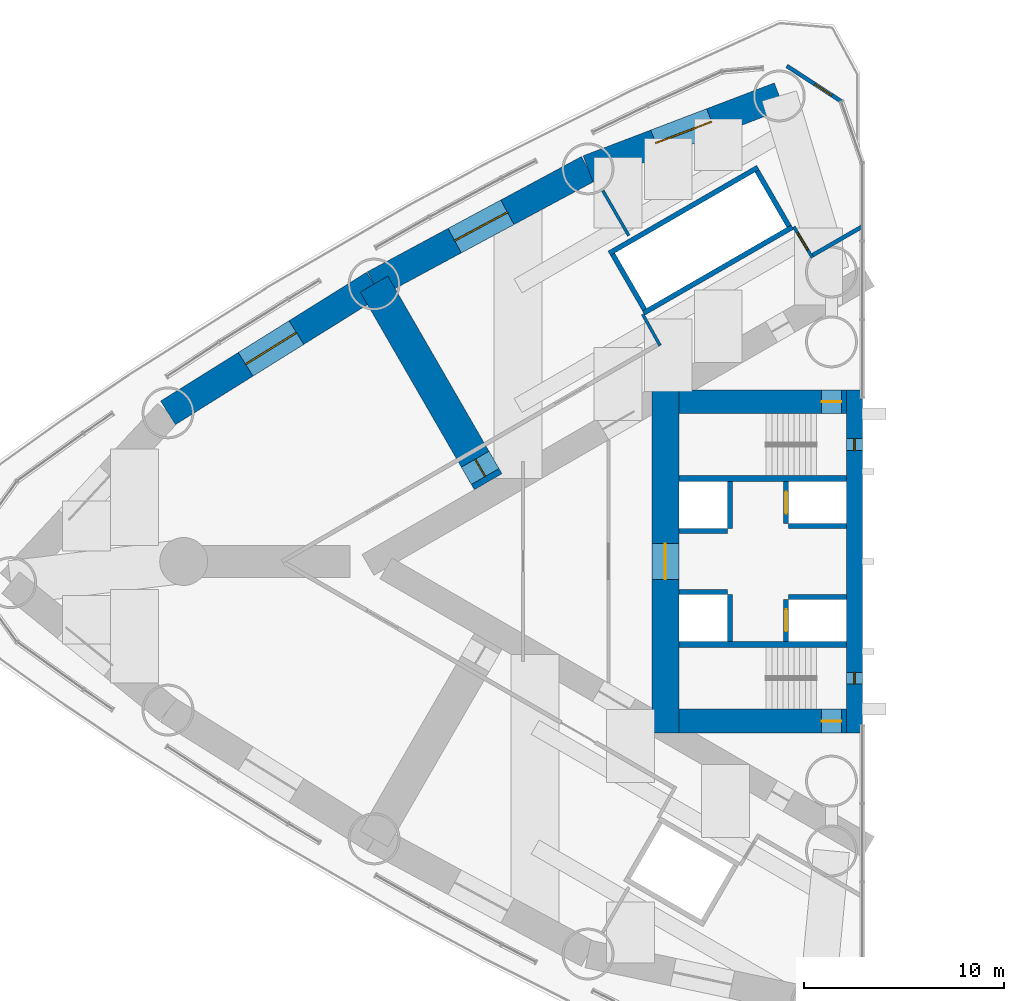
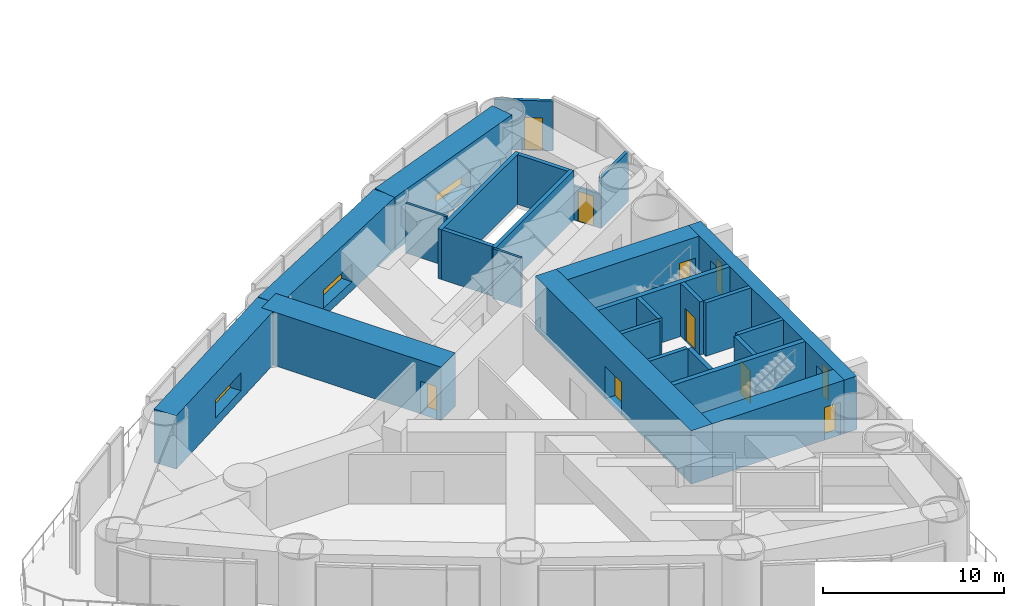
# One storey, part 14 of 19: 27 walls, 8 doors, 5 windows, 13 openings.
"""IFC4 building model written with IfcOpenShell, lengths in metres."""

from ifc_helpers import new_model, si_unit, direction, frame, frame_2d, origin, place, context, subcontext, project, spatial, rectangle, extrude, material, layer, layer_set, type_object, element, fill, save


model = new_model("IFC4")

# Units and contexts
model_context = context("Model", 3, precision=1e-05, world=origin(), true_north=direction((0.0, 1.0)))
body_context = subcontext(model_context, "Body", "Model", "MODEL_VIEW")
ifc_project = project(units=[si_unit("LENGTHUNIT", "METRE"), si_unit("AREAUNIT", "SQUARE_METRE"), si_unit("VOLUMEUNIT", "CUBIC_METRE"), si_unit("PLANEANGLEUNIT", "RADIAN"), si_unit("MASSUNIT", "GRAM", prefix="KILO")], contexts=[model_context])

# Site, building, storey
site_placement = place(None, origin())
site = spatial("IfcSite", under=ifc_project, at=site_placement, CompositionType="ELEMENT")
building_placement = place(site_placement, origin())
building = spatial("IfcBuilding", under=site, at=building_placement, Name="Lancet Gate Hotel", CompositionType="ELEMENT")
storey_placement = place(building_placement, frame((0.0, 0.0, 87.0)))
storey = spatial("IfcBuildingStorey", under=building, at=storey_placement, Name="L22", CompositionType="ELEMENT", Elevation=87.0)

# Wall, opening, window
ifc_material_1 = material(Name="Concrete C80/95", Category="concrete")
ifc_layer_1 = layer(ifc_material_1, 1.39990234375)
ifc_layer_set_1 = layer_set([ifc_layer_1], Name="Belt wall 1400")
wall_type_1 = type_object("IfcWallType", Name="Belt wall 1400", PredefinedType="SHEAR", material=ifc_layer_set_1)
wall_1_placement = place(storey_placement, frame((-31.66455078125, 23.318359375, 0.0), z_axis=(0.0, 0.0, 1.0), x_axis=(-0.934392266213, -0.356245832033, 0.0)))
wall_1 = element("IfcWall", 1, at=wall_1_placement, inside=storey, type_object=wall_type_1, Name="T1 belt wall CS-OS1 L22", PredefinedType="SHEAR", context=body_context, shape_type="SweptSolid", body=[
    extrude(rectangle(XDim=10.2529296875, YDim=1.39990234375, at=frame_2d((5.12646484375, 0.0))), origin(), (0.0, 0.0, 1.0), 3.60009765625),
])
opening_1_placement = place(wall_1_placement, frame((3.62646484375, 0.0, 0.60009765625)))
opening_1 = element("IfcOpeningElement", 2, at=opening_1_placement, cuts=wall_1, Name="Opening LV1", PredefinedType="OPENING", context=body_context, shape_type="SweptSolid", body=[
    extrude(rectangle(XDim=3.0, YDim=1.199951171875, at=frame_2d((1.5, 0.60009765625))), frame((0.0, 0.7099609375, 0.0), z_axis=(0.0, -1.0, 0.0), x_axis=(1.0, 0.0, 0.0)), (0.0, 0.0, 1.0), 1.419921875),
])
ifc_material_2 = material(Name="Aluminium weather louvre", Category="aluminium")
window_type_1 = type_object("IfcWindowType", Name="Refuge louvre 3000x1200", PartitioningType="SINGLE_PANEL", PredefinedType="WINDOW", material=ifc_material_2)
window_1_placement = place(opening_1_placement, origin())
window_1 = element("IfcWindow", 3, at=window_1_placement, inside=storey, type_object=window_type_1, Name="T1 belt louvre CS-OS1 L22", OverallHeight=1.199951171875, OverallWidth=3.0, PartitioningType="SINGLE_PANEL", PredefinedType="WINDOW", context=body_context, shape_type="SweptSolid", body=[
    extrude(rectangle(XDim=3.0, YDim=1.199951171875, at=frame_2d((1.5, 0.60009765625))), frame((0.0, 0.030029296875, 0.0), z_axis=(0.0, -1.0, 0.0), x_axis=(1.0, 0.0, 0.0)), (0.0, 0.0, 1.0), 0.06005859375),
])
fill(opening_1, window_1)

wall_2_placement = place(storey_placement, frame((-41.244873046875, 19.665771484375, 0.0), z_axis=(0.0, 0.0, 1.0), x_axis=(-0.880492350889, -0.474060354835, 0.0)))
wall_2 = element("IfcWall", 4, at=wall_2_placement, inside=storey, type_object=wall_type_1, Name="T1 belt wall OS1-OS2 L22", PredefinedType="SHEAR", context=body_context, shape_type="SweptSolid", body=[
    extrude(rectangle(XDim=12.173095703125, YDim=1.39990234375, at=frame_2d((6.08642578125, 0.0))), origin(), (0.0, 0.0, 1.0), 3.60009765625),
])
opening_2_placement = place(wall_2_placement, frame((4.58642578125, 0.0, 0.60009765625)))
opening_2 = element("IfcOpeningElement", 5, at=opening_2_placement, cuts=wall_2, Name="Opening LV1", PredefinedType="OPENING", context=body_context, shape_type="SweptSolid", body=[
    extrude(rectangle(XDim=3.0, YDim=1.199951171875, at=frame_2d((1.5, 0.60009765625))), frame((0.0, 0.7099609375, 0.0), z_axis=(0.0, -1.0, 0.0), x_axis=(1.0, 0.0, 0.0)), (0.0, 0.0, 1.0), 1.419921875),
])
window_2_placement = place(opening_2_placement, origin())
window_2 = element("IfcWindow", 6, at=window_2_placement, inside=storey, type_object=window_type_1, Name="T1 belt louvre OS1-OS2 L22", OverallHeight=1.199951171875, OverallWidth=3.0, PartitioningType="SINGLE_PANEL", PredefinedType="WINDOW", context=body_context, shape_type="SweptSolid", body=[
    extrude(rectangle(XDim=3.0, YDim=1.199951171875, at=frame_2d((1.5, 0.60009765625))), frame((0.0, 0.030029296875, 0.0), z_axis=(0.0, -1.0, 0.0), x_axis=(1.0, 0.0, 0.0)), (0.0, 0.0, 1.0), 0.06005859375),
])
fill(opening_2, window_2)

wall_3_placement = place(storey_placement, frame((-51.963134765625, 13.89501953125, 0.0), z_axis=(0.0, 0.0, 1.0), x_axis=(-0.848062521637, -0.529896177939, 0.0)))
wall_3 = element("IfcWall", 7, at=wall_3_placement, inside=storey, type_object=wall_type_1, Name="T1 belt wall OS2-OS3 L22", PredefinedType="SHEAR", context=body_context, shape_type="SweptSolid", body=[
    extrude(rectangle(XDim=12.173095703125, YDim=1.39990234375, at=frame_2d((6.08642578125, 0.0))), origin(), (0.0, 0.0, 1.0), 3.60009765625),
])
opening_3_placement = place(wall_3_placement, frame((4.58642578125, 0.0, 0.60009765625)))
opening_3 = element("IfcOpeningElement", 8, at=opening_3_placement, cuts=wall_3, Name="Opening LV1", PredefinedType="OPENING", context=body_context, shape_type="SweptSolid", body=[
    extrude(rectangle(XDim=3.0, YDim=1.199951171875, at=frame_2d((1.5, 0.60009765625))), frame((0.0, 0.7099609375, 0.0), z_axis=(0.0, -1.0, 0.0), x_axis=(1.0, 0.0, 0.0)), (0.0, 0.0, 1.0), 1.419921875),
])
window_3_placement = place(opening_3_placement, origin())
window_3 = element("IfcWindow", 9, at=window_3_placement, inside=storey, type_object=window_type_1, Name="T1 belt louvre OS2-OS3 L22", OverallHeight=1.199951171875, OverallWidth=3.0, PartitioningType="SINGLE_PANEL", PredefinedType="WINDOW", context=body_context, shape_type="SweptSolid", body=[
    extrude(rectangle(XDim=3.0, YDim=1.199951171875, at=frame_2d((1.5, 0.60009765625))), frame((0.0, 0.030029296875, 0.0), z_axis=(0.0, -1.0, 0.0), x_axis=(1.0, 0.0, 0.0)), (0.0, 0.0, 1.0), 0.06005859375),
])
fill(opening_3, window_3)

# Wall, opening, door
ifc_material_3 = material(Name="Concrete C70/85", Category="concrete")
ifc_layer_2 = layer(ifc_material_3, 1.35009765625)
ifc_layer_set_2 = layer_set([ifc_layer_2], Name="Core back wall 1350, outrigger storeys")
wall_type_2 = type_object("IfcWallType", Name="Core back wall 1350, outrigger storeys", PredefinedType="SHEAR", material=ifc_layer_set_2)
wall_4_placement = place(storey_placement, frame((-37.375, 8.60009765625, 0.0), z_axis=(0.0, 0.0, 1.0), x_axis=(0.0, -1.0, 0.0)))
wall_4 = element("IfcWall", 10, at=wall_4_placement, inside=storey, type_object=wall_type_2, Name="T1 core wall back L22", PredefinedType="SHEAR", context=body_context, shape_type="SweptSolid", body=[
    extrude(rectangle(XDim=17.2001953125, YDim=1.35009765625, at=frame_2d((8.60009765625, 0.0))), origin(), (0.0, 0.0, 1.0), 3.60009765625),
])
opening_4_placement = place(wall_4_placement, frame((7.699951171875, 0.0, 0.0)))
opening_4 = element("IfcOpeningElement", 11, at=opening_4_placement, cuts=wall_4, Name="Opening T1-L22-LL", PredefinedType="OPENING", context=body_context, shape_type="SweptSolid", body=[
    extrude(rectangle(XDim=1.800048828125, YDim=2.199951171875, at=frame_2d((0.89990234375, 1.10009765625))), frame((0.0, 0.68505859375, 0.0), z_axis=(0.0, -1.0, 0.0), x_axis=(1.0, 0.0, 0.0)), (0.0, 0.0, 1.0), 1.3701171875),
])
ifc_material_4 = material(Name="Timber door set", Category="wood")
door_type_1 = type_object("IfcDoorType", Name="Lobby double door 1800", OperationType="DOUBLE_DOOR_SINGLE_SWING", PredefinedType="DOOR", material=ifc_material_4)
door_1_placement = place(opening_4_placement, origin())
door_1 = element("IfcDoor", 12, at=door_1_placement, inside=storey, type_object=door_type_1, Name="T1-L22-LL", OperationType="DOUBLE_DOOR_SINGLE_SWING", OverallHeight=2.199951171875, OverallWidth=1.800048828125, PredefinedType="DOOR", context=body_context, shape_type="SweptSolid", body=[
    extrude(rectangle(XDim=1.800048828125, YDim=2.199951171875, at=frame_2d((0.89990234375, 1.10009765625))), frame((0.0, 0.02490234375, 0.0), z_axis=(0.0, -1.0, 0.0), x_axis=(1.0, 0.0, 0.0)), (0.0, 0.0, 1.0), 0.050048828125),
])
fill(opening_4, door_1)

ifc_material_5 = material(Name="Concrete C70/85", Category="concrete")
ifc_layer_3 = layer(ifc_material_5, 1.199951171875)
ifc_layer_set_3 = layer_set([ifc_layer_3], Name="Core wall 1200")
wall_type_3 = type_object("IfcWallType", Name="Core wall 1200", PredefinedType="SHEAR", material=ifc_layer_set_3)
wall_5_placement = place(storey_placement, frame((-28.300048828125, 8.0, 0.0), z_axis=(0.0, 0.0, 1.0), x_axis=(-1.0, 0.0, 0.0)))
wall_5 = element("IfcWall", 13, at=wall_5_placement, inside=storey, type_object=wall_type_3, Name="T1 core wall side-S L22", PredefinedType="SHEAR", context=body_context, shape_type="SweptSolid", body=[
    extrude(rectangle(XDim=8.39990234375, YDim=1.199951171875, at=frame_2d((4.199951171875, 0.0))), origin(), (0.0, 0.0, 1.0), 3.60009765625),
])
opening_5_placement = place(wall_5_placement, frame((0.25, 0.0, 0.0)))
opening_5 = element("IfcOpeningElement", 14, at=opening_5_placement, cuts=wall_5, Name="Opening T1-L22-ST1", PredefinedType="OPENING", context=body_context, shape_type="SweptSolid", body=[
    extrude(rectangle(XDim=1.0, YDim=2.199951171875, at=frame_2d((0.5, 1.10009765625))), frame((0.0, 0.60986328125, 0.0), z_axis=(0.0, -1.0, 0.0), x_axis=(1.0, 0.0, 0.0)), (0.0, 0.0, 1.0), 1.219970703125),
])
ifc_material_6 = material(Name="Timber door set", Category="wood")
door_type_2 = type_object("IfcDoorType", Name="Stair door 1000", OperationType="SINGLE_SWING_RIGHT", PredefinedType="DOOR", material=ifc_material_6)
door_2_placement = place(opening_5_placement, origin())
door_2 = element("IfcDoor", 15, at=door_2_placement, inside=storey, type_object=door_type_2, Name="T1-L22-ST1", OperationType="SINGLE_SWING_RIGHT", OverallHeight=2.199951171875, OverallWidth=1.0, PredefinedType="DOOR", context=body_context, shape_type="SweptSolid", body=[
    extrude(rectangle(XDim=1.0, YDim=2.199951171875, at=frame_2d((0.5, 1.10009765625))), frame((0.0, 0.02490234375, 0.0), z_axis=(0.0, -1.0, 0.0), x_axis=(1.0, 0.0, 0.0)), (0.0, 0.0, 1.0), 0.050048828125),
])
fill(opening_5, door_2)

wall_6_placement = place(storey_placement, frame((-28.300048828125, -8.0, 0.0), z_axis=(0.0, 0.0, 1.0), x_axis=(-1.0, 0.0, 0.0)))
wall_6 = element("IfcWall", 16, at=wall_6_placement, inside=storey, type_object=wall_type_3, Name="T1 core wall side-N L22", PredefinedType="SHEAR", context=body_context, shape_type="SweptSolid", body=[
    extrude(rectangle(XDim=8.39990234375, YDim=1.199951171875, at=frame_2d((4.199951171875, 0.0))), origin(), (0.0, 0.0, 1.0), 3.60009765625),
])
opening_6_placement = place(wall_6_placement, frame((0.25, 0.0, 0.0)))
opening_6 = element("IfcOpeningElement", 17, at=opening_6_placement, cuts=wall_6, Name="Opening T1-L22-ST2", PredefinedType="OPENING", context=body_context, shape_type="SweptSolid", body=[
    extrude(rectangle(XDim=1.0, YDim=2.199951171875, at=frame_2d((0.5, 1.10009765625))), frame((0.0, 0.60986328125, 0.0), z_axis=(0.0, -1.0, 0.0), x_axis=(1.0, 0.0, 0.0)), (0.0, 0.0, 1.0), 1.219970703125),
])
door_3_placement = place(opening_6_placement, origin())
door_3 = element("IfcDoor", 18, at=door_3_placement, inside=storey, type_object=door_type_2, Name="T1-L22-ST2", OperationType="SINGLE_SWING_RIGHT", OverallHeight=2.199951171875, OverallWidth=1.0, PredefinedType="DOOR", context=body_context, shape_type="SweptSolid", body=[
    extrude(rectangle(XDim=1.0, YDim=2.199951171875, at=frame_2d((0.5, 1.10009765625))), frame((0.0, 0.02490234375, 0.0), z_axis=(0.0, -1.0, 0.0), x_axis=(1.0, 0.0, 0.0)), (0.0, 0.0, 1.0), 0.050048828125),
])
fill(opening_6, door_3)

# Wall, openings, windows
ifc_material_7 = material(Name="Concrete C70/85", Category="concrete")
ifc_layer_4 = layer(ifc_material_7, 0.800048828125)
ifc_layer_set_4 = layer_set([ifc_layer_4], Name="Core wall 800")
wall_type_4 = type_object("IfcWallType", Name="Core wall 800", PredefinedType="SHEAR", material=ifc_layer_set_4)
wall_7_placement = place(storey_placement, frame((-27.89990234375, 8.60009765625, 0.0), z_axis=(0.0, 0.0, 1.0), x_axis=(0.0, -1.0, 0.0)))
wall_7 = element("IfcWall", 19, at=wall_7_placement, inside=storey, type_object=wall_type_4, Name="T1 core wall front L22", PredefinedType="SHEAR", context=body_context, shape_type="SweptSolid", body=[
    extrude(rectangle(XDim=17.2001953125, YDim=0.800048828125, at=frame_2d((8.60009765625, 0.0))), origin(), (0.0, 0.0, 1.0), 3.60009765625),
])
opening_7_placement = place(wall_7_placement, frame((2.449951171875, 0.0, 0.60009765625)))
opening_7 = element("IfcOpeningElement", 20, at=opening_7_placement, cuts=wall_7, Name="Opening LW1", PredefinedType="OPENING", context=body_context, shape_type="SweptSolid", body=[
    extrude(rectangle(XDim=0.60009765625, YDim=2.10009765625, at=frame_2d((0.300048828125, 1.050048828125))), frame((0.0, 0.409912109375, 0.0), z_axis=(0.0, -1.0, 0.0), x_axis=(1.0, 0.0, 0.0)), (0.0, 0.0, 1.0), 0.820068359375),
])
opening_8_placement = place(wall_7_placement, frame((14.14990234375, 0.0, 0.60009765625)))
opening_8 = element("IfcOpeningElement", 21, at=opening_8_placement, cuts=wall_7, Name="Opening LW1", PredefinedType="OPENING", context=body_context, shape_type="SweptSolid", body=[
    extrude(rectangle(XDim=0.60009765625, YDim=2.10009765625, at=frame_2d((0.300048828125, 1.050048828125))), frame((0.0, 0.409912109375, 0.0), z_axis=(0.0, -1.0, 0.0), x_axis=(1.0, 0.0, 0.0)), (0.0, 0.0, 1.0), 0.820068359375),
])
ifc_material_8 = material(Name="Fire-resisting glazed steel window", Category="steel")
window_type_2 = type_object("IfcWindowType", Name="Lancet window 600x2100", PartitioningType="SINGLE_PANEL", PredefinedType="WINDOW", material=ifc_material_8)
window_4_placement = place(opening_7_placement, origin())
window_4 = element("IfcWindow", 22, at=window_4_placement, inside=storey, type_object=window_type_2, Name="T1 stair window S L22", OverallHeight=2.10009765625, OverallWidth=0.60009765625, PartitioningType="SINGLE_PANEL", PredefinedType="WINDOW", context=body_context, shape_type="SweptSolid", body=[
    extrude(rectangle(XDim=0.60009765625, YDim=2.10009765625, at=frame_2d((0.300048828125, 1.050048828125))), frame((0.0, 0.030029296875, 0.0), z_axis=(0.0, -1.0, 0.0), x_axis=(1.0, 0.0, 0.0)), (0.0, 0.0, 1.0), 0.06005859375),
])
fill(opening_7, window_4)
window_5_placement = place(opening_8_placement, origin())
window_5 = element("IfcWindow", 23, at=window_5_placement, inside=storey, type_object=window_type_2, Name="T1 stair window N L22", OverallHeight=2.10009765625, OverallWidth=0.60009765625, PartitioningType="SINGLE_PANEL", PredefinedType="WINDOW", context=body_context, shape_type="SweptSolid", body=[
    extrude(rectangle(XDim=0.60009765625, YDim=2.10009765625, at=frame_2d((0.300048828125, 1.050048828125))), frame((0.0, 0.030029296875, 0.0), z_axis=(0.0, -1.0, 0.0), x_axis=(1.0, 0.0, 0.0)), (0.0, 0.0, 1.0), 0.06005859375),
])
fill(opening_8, window_5)

# Wall
ifc_material_9 = material(Name="Gypsum board partition")
ifc_layer_5 = layer(ifc_material_9, 0.199951171875)
ifc_layer_set_5 = layer_set([ifc_layer_5], Name="Corridor wall 200")
wall_type_5 = type_object("IfcWallType", Name="Corridor wall 200", PredefinedType="PARTITIONING", material=ifc_layer_set_5)
wall_8_placement = place(storey_placement, frame((-27.5, 16.782470703125, 0.0), z_axis=(0.0, 0.0, 1.0), x_axis=(-0.866045812642, -0.499964649156, 0.0)))
element("IfcWall", 24, at=wall_8_placement, inside=storey, type_object=wall_type_5, Name="T1 corridor wall 200 L22", PredefinedType="PARTITIONING", context=body_context, shape_type="SweptSolid", body=[
    extrude(rectangle(XDim=2.937744140625, YDim=0.199951171875, at=frame_2d((1.46875, 0.0))), origin(), (0.0, 0.0, 1.0), 3.35009765625),
])

# Wall, opening, door
ifc_material_10 = material(Name="Glazed aluminium screen", Category="aluminium")
ifc_layer_6 = layer(ifc_material_10, 0.199951171875)
ifc_layer_set_6 = layer_set([ifc_layer_6], Name="Glazed entrance screen 200")
wall_type_6 = type_object("IfcWallType", Name="Glazed entrance screen 200", PredefinedType="STANDARD", material=ifc_layer_set_6)
wall_9_placement = place(storey_placement, frame((-31.289306640625, 24.822265625, 0.0), z_axis=(0.0, 0.0, 1.0), x_axis=(0.838602944288, -0.544743152166, 0.0)))
wall_9 = element("IfcWall", 25, at=wall_9_placement, inside=storey, type_object=wall_type_6, Name="T1 maintenance roof screen L22", PredefinedType="STANDARD", context=body_context, shape_type="SweptSolid", body=[
    extrude(rectangle(XDim=3.255126953125, YDim=0.199951171875, at=frame_2d((1.62744140625, 0.0))), origin(), (0.0, 0.0, 1.0), 3.35009765625),
])
opening_9_placement = place(wall_9_placement, frame((1.677978515625, 0.0, 0.0)))
opening_9 = element("IfcOpeningElement", 26, at=opening_9_placement, cuts=wall_9, Name="Opening T1-L22-MR", PredefinedType="OPENING", context=body_context, shape_type="SweptSolid", body=[
    extrude(rectangle(XDim=1.0, YDim=2.199951171875, at=frame_2d((0.5, 1.10009765625))), frame((0.0, 0.10986328125, 0.0), z_axis=(0.0, -1.0, 0.0), x_axis=(1.0, 0.0, 0.0)), (0.0, 0.0, 1.0), 0.219970703125),
])
ifc_material_11 = material(Name="Steel door set, weather sealed", Category="steel")
door_type_3 = type_object("IfcDoorType", Name="Maintenance roof door 1000 external", OperationType="SINGLE_SWING_LEFT", PredefinedType="DOOR", material=ifc_material_11)
door_4_placement = place(opening_9_placement, origin())
door_4 = element("IfcDoor", 27, at=door_4_placement, inside=storey, type_object=door_type_3, Name="Maintenance roof access door T1-L22-MR", OperationType="SINGLE_SWING_LEFT", OverallHeight=2.199951171875, OverallWidth=1.0, PredefinedType="DOOR", context=body_context, shape_type="SweptSolid", body=[
    extrude(rectangle(XDim=1.0, YDim=2.199951171875, at=frame_2d((0.5, 1.10009765625))), frame((0.0, 0.02490234375, 0.0), z_axis=(0.0, -1.0, 0.0), x_axis=(1.0, 0.0, 0.0)), (0.0, 0.0, 1.0), 0.050048828125),
])
fill(opening_9, door_4)

# Walls
ifc_material_12 = material(Name="Gypsum board partition")
ifc_layer_7 = layer(ifc_material_12, 0.25)
ifc_layer_set_7 = layer_set([ifc_layer_7], Name="Lift shaft partition 250")
wall_type_7 = type_object("IfcWallType", Name="Lift shaft partition 250", PredefinedType="PARTITIONING", material=ifc_layer_set_7)
for number, where, z_axis, x_axis, name in (
    (28, (-31.010498046875, 16.747314453125, 0.0), (0.0, 0.0, 1.0), (-0.866028165386, -0.499995216735, 0.0), "T1 lift shaft wall LR L22"),
    (29, (-32.735595703125, 19.73583984375, 0.0), (0.0, 0.0, 1.0), (-0.866028165386, -0.499995216735, 0.0), "T1 lift shaft wall LR L22"),
):
    element("IfcWall", number, at=place(storey_placement, frame(where, z_axis=z_axis, x_axis=x_axis)), inside=storey, type_object=wall_type_7, Name=name, PredefinedType="PARTITIONING", context=body_context, shape_type="SweptSolid", body=[
        extrude(rectangle(XDim=8.60009765625, YDim=0.25, at=frame_2d((4.300048828125, 0.0))), origin(), (0.0, 0.0, 1.0), 3.35009765625),
    ])
wall_10_placement = place(storey_placement, frame((-31.18115234375, 16.79296875, 0.0), z_axis=(0.0, 0.0, 1.0), x_axis=(-0.499929347863, 0.866066190972, 0.0)))
element("IfcWall", 30, at=wall_10_placement, inside=storey, type_object=wall_type_7, Name="T1 lift shaft wall LR L22", PredefinedType="PARTITIONING", context=body_context, shape_type="SweptSolid", body=[
    extrude(rectangle(XDim=3.20068359375, YDim=0.25, at=frame_2d((1.600341796875, 0.0))), origin(), (0.0, 0.0, 1.0), 3.35009765625),
])
wall_11_placement = place(storey_placement, frame((-38.412841796875, 12.617919921875, 0.0), z_axis=(0.0, 0.0, 1.0), x_axis=(-0.499872130319, 0.866099216793, 0.0)))
element("IfcWall", 31, at=wall_11_placement, inside=storey, type_object=wall_type_7, Name="T1 lift shaft wall LR L22", PredefinedType="PARTITIONING", context=body_context, shape_type="SweptSolid", body=[
    extrude(rectangle(XDim=3.200439453125, YDim=0.25, at=frame_2d((1.60009765625, 0.0))), origin(), (0.0, 0.0, 1.0), 3.35009765625),
])

# Wall, opening, door
ifc_material_13 = material(Name="Concrete C50/60", Category="concrete")
ifc_layer_8 = layer(ifc_material_13, 0.25)
ifc_layer_set_8 = layer_set([ifc_layer_8], Name="Lift shaft wall 250")
wall_type_8 = type_object("IfcWallType", Name="Lift shaft wall 250", PredefinedType="SHEAR", material=ifc_layer_set_8)
wall_12_placement = place(storey_placement, frame((-31.324951171875, 4.0, 0.0), z_axis=(0.0, 0.0, 1.0), x_axis=(0.0, -1.0, 0.0)))
wall_12 = element("IfcWall", 32, at=wall_12_placement, inside=storey, type_object=wall_type_8, Name="T1 core wall row1-S L22", PredefinedType="SHEAR", context=body_context, shape_type="SweptSolid", body=[
    extrude(rectangle(XDim=2.10009765625, YDim=0.25, at=frame_2d((1.050048828125, 0.0))), origin(), (0.0, 0.0, 1.0), 3.60009765625),
])
opening_10_placement = place(wall_12_placement, frame((0.5, 0.0, 0.0)))
opening_10 = element("IfcOpeningElement", 33, at=opening_10_placement, cuts=wall_12, Name="Opening T1-SL1-L22", PredefinedType="OPENING", context=body_context, shape_type="SweptSolid", body=[
    extrude(rectangle(XDim=1.10009765625, YDim=2.199951171875, at=frame_2d((0.550048828125, 1.10009765625))), frame((0.0, 0.135009765625, 0.0), z_axis=(0.0, -1.0, 0.0), x_axis=(1.0, 0.0, 0.0)), (0.0, 0.0, 1.0), 0.27001953125),
])
ifc_material_14 = material(Name="Timber door set", Category="wood")
door_type_4 = type_object("IfcDoorType", Name="Service lift landing door 1100", OperationType="SLIDING_TO_LEFT", PredefinedType="USERDEFINED", material=ifc_material_14)
door_5_placement = place(opening_10_placement, origin())
door_5 = element("IfcDoor", 34, at=door_5_placement, inside=storey, type_object=door_type_4, Name="T1-SL1-L22", ObjectType="LIFT LANDING DOOR", OperationType="SLIDING_TO_LEFT", OverallHeight=2.199951171875, OverallWidth=1.10009765625, PredefinedType="USERDEFINED", context=body_context, shape_type="SweptSolid", body=[
    extrude(rectangle(XDim=1.10009765625, YDim=2.199951171875, at=frame_2d((0.550048828125, 1.10009765625))), frame((0.0, 0.02490234375, 0.0), z_axis=(0.0, -1.0, 0.0), x_axis=(1.0, 0.0, 0.0)), (0.0, 0.0, 1.0), 0.050048828125),
])
fill(opening_10, door_5)

# Walls
wall_13_placement = place(storey_placement, frame((-34.125, 4.0, 0.0), z_axis=(0.0, 0.0, 1.0), x_axis=(0.0, -1.0, 0.0)))
element("IfcWall", 35, at=wall_13_placement, inside=storey, type_object=wall_type_8, Name="T1 core wall row2-S L22", PredefinedType="SHEAR", context=body_context, shape_type="SweptSolid", body=[
    extrude(rectangle(XDim=2.35009765625, YDim=0.25, at=frame_2d((1.175048828125, 0.0))), origin(), (0.0, 0.0, 1.0), 3.60009765625),
])
wall_14_placement = place(storey_placement, frame((-28.300048828125, 1.77490234375, 0.0), z_axis=(0.0, 0.0, 1.0), x_axis=(-1.0, 0.0, 0.0)))
element("IfcWall", 36, at=wall_14_placement, inside=storey, type_object=wall_type_8, Name="T1 core wall pass1-S L22", PredefinedType="SHEAR", context=body_context, shape_type="SweptSolid", body=[
    extrude(rectangle(XDim=2.89990234375, YDim=0.25, at=frame_2d((1.449951171875, 0.0))), origin(), (0.0, 0.0, 1.0), 3.60009765625),
])
wall_15_placement = place(storey_placement, frame((-34.25, 1.52490234375, 0.0), z_axis=(0.0, 0.0, 1.0), x_axis=(-1.0, 0.0, 0.0)))
element("IfcWall", 37, at=wall_15_placement, inside=storey, type_object=wall_type_8, Name="T1 core wall pass2-S L22", PredefinedType="SHEAR", context=body_context, shape_type="SweptSolid", body=[
    extrude(rectangle(XDim=2.449951171875, YDim=0.25, at=frame_2d((1.22509765625, 0.0))), origin(), (0.0, 0.0, 1.0), 3.60009765625),
])

# Wall, opening, door
wall_16_placement = place(storey_placement, frame((-31.324951171875, -1.89990234375, 0.0), z_axis=(0.0, 0.0, 1.0), x_axis=(0.0, -1.0, 0.0)))
wall_16 = element("IfcWall", 38, at=wall_16_placement, inside=storey, type_object=wall_type_8, Name="T1 core wall row1-N L22", PredefinedType="SHEAR", context=body_context, shape_type="SweptSolid", body=[
    extrude(rectangle(XDim=2.10009765625, YDim=0.25, at=frame_2d((1.050048828125, 0.0))), origin(), (0.0, 0.0, 1.0), 3.60009765625),
])
opening_11_placement = place(wall_16_placement, frame((0.5, 0.0, 0.0)))
opening_11 = element("IfcOpeningElement", 39, at=opening_11_placement, cuts=wall_16, Name="Opening T1-FL2-L22", PredefinedType="OPENING", context=body_context, shape_type="SweptSolid", body=[
    extrude(rectangle(XDim=1.10009765625, YDim=2.199951171875, at=frame_2d((0.550048828125, 1.10009765625))), frame((0.0, 0.135009765625, 0.0), z_axis=(0.0, -1.0, 0.0), x_axis=(1.0, 0.0, 0.0)), (0.0, 0.0, 1.0), 0.27001953125),
])
ifc_material_15 = material(Name="Steel door set", Category="steel")
door_type_5 = type_object("IfcDoorType", Name="Firefighting lift landing door 1100", OperationType="SLIDING_TO_LEFT", PredefinedType="USERDEFINED", material=ifc_material_15)
door_6_placement = place(opening_11_placement, origin())
door_6 = element("IfcDoor", 40, at=door_6_placement, inside=storey, type_object=door_type_5, Name="T1-FL2-L22", ObjectType="LIFT LANDING DOOR", OperationType="SLIDING_TO_LEFT", OverallHeight=2.199951171875, OverallWidth=1.10009765625, PredefinedType="USERDEFINED", context=body_context, shape_type="SweptSolid", body=[
    extrude(rectangle(XDim=1.10009765625, YDim=2.199951171875, at=frame_2d((0.550048828125, 1.10009765625))), frame((0.0, 0.02490234375, 0.0), z_axis=(0.0, -1.0, 0.0), x_axis=(1.0, 0.0, 0.0)), (0.0, 0.0, 1.0), 0.050048828125),
])
fill(opening_11, door_6)

# Walls
wall_17_placement = place(storey_placement, frame((-34.125, -1.64990234375, 0.0), z_axis=(0.0, 0.0, 1.0), x_axis=(0.0, -1.0, 0.0)))
element("IfcWall", 41, at=wall_17_placement, inside=storey, type_object=wall_type_8, Name="T1 core wall row2-N L22", PredefinedType="SHEAR", context=body_context, shape_type="SweptSolid", body=[
    extrude(rectangle(XDim=2.35009765625, YDim=0.25, at=frame_2d((1.175048828125, 0.0))), origin(), (0.0, 0.0, 1.0), 3.60009765625),
])
wall_18_placement = place(storey_placement, frame((-28.300048828125, -1.77490234375, 0.0), z_axis=(0.0, 0.0, 1.0), x_axis=(-1.0, 0.0, 0.0)))
element("IfcWall", 42, at=wall_18_placement, inside=storey, type_object=wall_type_8, Name="T1 core wall pass1-N L22", PredefinedType="SHEAR", context=body_context, shape_type="SweptSolid", body=[
    extrude(rectangle(XDim=2.89990234375, YDim=0.25, at=frame_2d((1.449951171875, 0.0))), origin(), (0.0, 0.0, 1.0), 3.60009765625),
])
wall_19_placement = place(storey_placement, frame((-34.25, -1.52490234375, 0.0), z_axis=(0.0, 0.0, 1.0), x_axis=(-1.0, 0.0, 0.0)))
element("IfcWall", 43, at=wall_19_placement, inside=storey, type_object=wall_type_8, Name="T1 core wall pass2-N L22", PredefinedType="SHEAR", context=body_context, shape_type="SweptSolid", body=[
    extrude(rectangle(XDim=2.449951171875, YDim=0.25, at=frame_2d((1.22509765625, 0.0))), origin(), (0.0, 0.0, 1.0), 3.60009765625),
])

# Wall, opening, door
ifc_material_16 = material(Name="Concrete C80/95", Category="concrete")
ifc_layer_9 = layer(ifc_material_16, 1.60009765625)
ifc_layer_set_9 = layer_set([ifc_layer_9], Name="Outrigger wall 1600")
wall_type_9 = type_object("IfcWallType", Name="Outrigger wall 1600", PredefinedType="SHEAR", material=ifc_layer_set_9)
wall_20_placement = place(storey_placement, frame((-46.247802734375, 3.99560546875, 0.0), z_axis=(0.0, 0.0, 1.0), x_axis=(-0.499993613132, 0.866029091213, 0.0)))
wall_20 = element("IfcWall", 44, at=wall_20_placement, inside=storey, type_object=wall_type_9, Name="T1 outrigger wall OS2 L22", PredefinedType="SHEAR", context=body_context, shape_type="SweptSolid", body=[
    extrude(rectangle(XDim=11.430908203125, YDim=1.60009765625, at=frame_2d((5.71533203125, 0.0))), origin(), (0.0, 0.0, 1.0), 3.60009765625),
])
opening_12_placement = place(wall_20_placement, frame((0.300048828125, 0.0, 0.0)))
opening_12 = element("IfcOpeningElement", 45, at=opening_12_placement, cuts=wall_20, Name="Opening T1-L22-LSO", PredefinedType="OPENING", context=body_context, shape_type="SweptSolid", body=[
    extrude(rectangle(XDim=1.0, YDim=2.199951171875, at=frame_2d((0.5, 1.10009765625))), frame((0.0, 0.81005859375, 0.0), z_axis=(0.0, -1.0, 0.0), x_axis=(1.0, 0.0, 0.0)), (0.0, 0.0, 1.0), 1.6201171875),
])
ifc_material_17 = material(Name="Timber door set", Category="wood")
door_type_6 = type_object("IfcDoorType", Name="Corridor door 1000", OperationType="SINGLE_SWING_LEFT", PredefinedType="DOOR", material=ifc_material_17)
door_7_placement = place(opening_12_placement, origin())
door_7 = element("IfcDoor", 46, at=door_7_placement, inside=storey, type_object=door_type_6, Name="T1-L22-LSO", OperationType="SINGLE_SWING_LEFT", OverallHeight=2.199951171875, OverallWidth=1.0, PredefinedType="DOOR", context=body_context, shape_type="SweptSolid", body=[
    extrude(rectangle(XDim=1.0, YDim=2.199951171875, at=frame_2d((0.5, 1.10009765625))), frame((0.0, 0.02490234375, 0.0), z_axis=(0.0, -1.0, 0.0), x_axis=(1.0, 0.0, 0.0)), (0.0, 0.0, 1.0), 0.050048828125),
])
fill(opening_12, door_7)

# Wall
ifc_material_18 = material(Name="Gypsum board partition")
ifc_layer_10 = layer(ifc_material_18, 0.14990234375)
ifc_layer_set_10 = layer_set([ifc_layer_10], Name="Party wall 150")
wall_type_10 = type_object("IfcWallType", Name="Party wall 150", PredefinedType="PARTITIONING", material=ifc_layer_set_10)
wall_21_placement = place(storey_placement, frame((-39.202392578125, 16.31982421875, 0.0), z_axis=(0.0, 0.0, 1.0), x_axis=(-0.499947391036, 0.866055775454, 0.0)))
element("IfcWall", 47, at=wall_21_placement, inside=storey, type_object=wall_type_10, Name="T1 party wall 150 L22", PredefinedType="PARTITIONING", context=body_context, shape_type="SweptSolid", body=[
    extrude(rectangle(XDim=2.599365234375, YDim=0.14990234375, at=frame_2d((1.2998046875, 0.0))), origin(), (0.0, 0.0, 1.0), 3.35009765625),
])

# Wall, opening, door
ifc_material_19 = material(Name="Gypsum board partition")
ifc_layer_11 = layer(ifc_material_19, 0.14990234375)
ifc_layer_set_11 = layer_set([ifc_layer_11], Name="Service room wall 150")
wall_type_11 = type_object("IfcWallType", Name="Service room wall 150", PredefinedType="PARTITIONING", material=ifc_layer_set_11)
wall_22_placement = place(storey_placement, frame((-30.00732421875, 15.219482421875, 0.0), z_axis=(0.0, 0.0, 1.0), x_axis=(-0.514296815006, 0.857612258585, 0.0)))
wall_22 = element("IfcWall", 48, at=wall_22_placement, inside=storey, type_object=wall_type_11, Name="T1 service room wall 150 L22", PredefinedType="PARTITIONING", context=body_context, shape_type="SweptSolid", body=[
    extrude(rectangle(XDim=1.804931640625, YDim=0.14990234375, at=frame_2d((0.90234375, 0.0))), origin(), (0.0, 0.0, 1.0), 2.300048828125),
])
opening_13_placement = place(wall_22_placement, frame((0.451904296875, 0.0, 0.0)))
opening_13 = element("IfcOpeningElement", 49, at=opening_13_placement, cuts=wall_22, Name="Opening T1-L22-RC01", PredefinedType="OPENING", context=body_context, shape_type="SweptSolid", body=[
    extrude(rectangle(XDim=1.0, YDim=2.030029296875, at=frame_2d((0.5, 1.01513671875))), frame((0.0, 0.0849609375, 0.0), z_axis=(0.0, -1.0, 0.0), x_axis=(1.0, 0.0, 0.0)), (0.0, 0.0, 1.0), 0.169921875),
])
ifc_material_20 = material(Name="Timber door set", Category="wood")
door_type_7 = type_object("IfcDoorType", Name="Service door 1000, 2030 high", OperationType="SINGLE_SWING_LEFT", PredefinedType="DOOR", material=ifc_material_20)
door_8_placement = place(opening_13_placement, origin())
door_8 = element("IfcDoor", 50, at=door_8_placement, inside=storey, type_object=door_type_7, Name="T1-L22-RC01", OperationType="SINGLE_SWING_LEFT", OverallHeight=2.030029296875, OverallWidth=1.0, PredefinedType="DOOR", context=body_context, shape_type="SweptSolid", body=[
    extrude(rectangle(XDim=1.0, YDim=2.030029296875, at=frame_2d((0.5, 1.01513671875))), frame((0.0, 0.02490234375, 0.0), z_axis=(0.0, -1.0, 0.0), x_axis=(1.0, 0.0, 0.0)), (0.0, 0.0, 1.0), 0.050048828125),
])
fill(opening_13, door_8)

# Walls
wall_23_placement = place(storey_placement, frame((-38.513427734375, 12.392333984375, 0.0), z_axis=(0.0, 0.0, 1.0), x_axis=(0.485585508183, -0.874189175317, 0.0)))
element("IfcWall", 51, at=wall_23_placement, inside=storey, type_object=wall_type_11, Name="T1 service room wall 150 L22", PredefinedType="PARTITIONING", context=body_context, shape_type="SweptSolid", body=[
    extrude(rectangle(XDim=1.804931640625, YDim=0.14990234375, at=frame_2d((0.90234375, 0.0))), origin(), (0.0, 0.0, 1.0), 3.35009765625),
])
ifc_material_21 = material(Name="Concrete C50/60", Category="concrete")
ifc_layer_12 = layer(ifc_material_21, 0.300048828125)
ifc_layer_set_12 = layer_set([ifc_layer_12], Name="Stair enclosure wall 300")
wall_type_12 = type_object("IfcWallType", Name="Stair enclosure wall 300", PredefinedType="SHEAR", material=ifc_layer_set_12)
for number, where, z_axis, x_axis, name in (
    (52, (-28.300048828125, 4.14990234375, 0.0), (0.0, 0.0, 1.0), (-1.0, 0.0, 0.0), "T1 core wall stair-S L22"),
    (53, (-28.300048828125, -4.14990234375, 0.0), (0.0, 0.0, 1.0), (-1.0, 0.0, 0.0), "T1 core wall stair-N L22"),
):
    element("IfcWall", number, at=place(storey_placement, frame(where, z_axis=z_axis, x_axis=x_axis)), inside=storey, type_object=wall_type_12, Name=name, PredefinedType="SHEAR", context=body_context, shape_type="SweptSolid", body=[
        extrude(rectangle(XDim=8.39990234375, YDim=0.300048828125, at=frame_2d((4.199951171875, 0.0))), origin(), (0.0, 0.0, 1.0), 3.60009765625),
    ])

save(model, "model.ifc")
